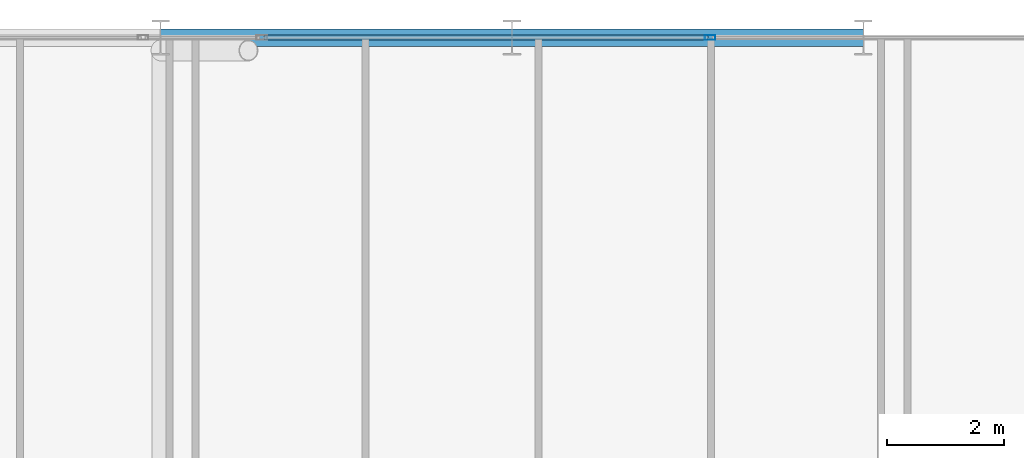
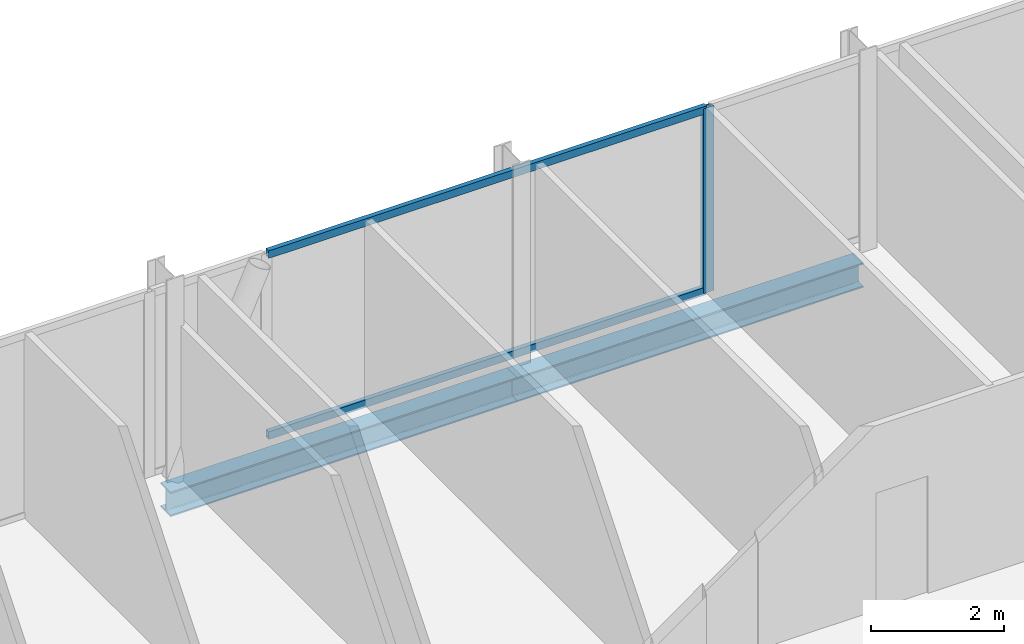
# One storey, part 19 of 30: 3 members, 2 beams, 1 element without a shape of its own.
"""IFC4 building model written with IfcOpenShell, lengths in metres."""

from ifc_helpers import new_model, si_unit, direction, frame, origin, origin_2d, place, context, subcontext, project, spatial, hollow_rectangle, i_section, extrude, material, layer, layer_set, material_profile, profile_set, type_object, element, aggregate, save


model = new_model("IFC4")

# Units and contexts
model_context = context("Model", 3, precision=1e-05, world=origin(), true_north=direction((0.0, 1.0)))
body_context = subcontext(model_context, "Body", "Model", "MODEL_VIEW")
ifc_project = project(units=[si_unit("LENGTHUNIT", "METRE"), si_unit("AREAUNIT", "SQUARE_METRE"), si_unit("VOLUMEUNIT", "CUBIC_METRE"), si_unit("PLANEANGLEUNIT", "RADIAN"), si_unit("MASSUNIT", "GRAM", prefix="KILO")], contexts=[model_context])

# Site, building, storey
site_placement = place(None, origin())
site = spatial("IfcSite", under=ifc_project, at=site_placement, CompositionType="ELEMENT")
building_placement = place(site_placement, origin())
building = spatial("IfcBuilding", under=site, at=building_placement, Name="Keshet Zoharim Tower", CompositionType="ELEMENT")
storey_placement = place(building_placement, frame((0.0, 0.0, 90.89990234375)))
storey = spatial("IfcBuildingStorey", under=building, at=storey_placement, Name="L21", CompositionType="ELEMENT", Elevation=90.89990234375)

# Beams
ifc_material_1 = material(Name="Steel S355", Category="steel")
ifc_material_profile_1 = material_profile(ifc_material_1, i_section(OverallWidth=0.300048828125, OverallDepth=0.449951171875, WebThickness=0.013916015625, FlangeThickness=0.02587890625, FilletRadius=0.027099609375, at=origin_2d()), Name="HEB450")
ifc_profile_set_1 = profile_set([ifc_material_profile_1], Name="Steel S355")
beam_type = type_object("IfcBeamType", Name="BM-WEB-HB450", PredefinedType="BEAM", material=ifc_profile_set_1)
for number, where, z_axis, x_axis, name in (
    (1, (33.0, 53.89990234375, -0.539794921875), (1.0, 0.0, 0.0), (0.0, 1.0, 0.0), "L21 Primary Girder X-021"),
    (2, (39.0, 53.89990234375, -0.539794921875), (1.0, 0.0, 0.0), (0.0, 1.0, 0.0), "L21 Primary Girder X-022"),
):
    element("IfcBeam", number, at=place(storey_placement, frame(where, z_axis=z_axis, x_axis=x_axis)), inside=storey, type_object=beam_type, Name=name, PredefinedType="BEAM", context=body_context, shape_type="SweptSolid", body=[
        extrude(i_section(OverallWidth=0.300048828125, OverallDepth=0.449951171875, WebThickness=0.013916015625, FlangeThickness=0.02587890625, FilletRadius=0.027099609375, at=origin_2d()), origin(), (0.0, 0.0, 1.0), 6.0),
    ])

# Curtain wall, members
ifc_material_2 = material(Name="Aluminium 6063-T6", Category="aluminium")
ifc_layer = layer(ifc_material_2, 0.159912109375)
ifc_layer_set = layer_set([ifc_layer], Name="Aluminium 6063-T6")
curtain_wall_type = type_object("IfcCurtainWallType", Name="CW-SYS-03", PredefinedType="NOTDEFINED", material=ifc_layer_set)
curtain_wall_placement = place(storey_placement, origin())
curtain_wall = element("IfcCurtainWall", 3, at=curtain_wall_placement, inside=storey, type_object=curtain_wall_type, Name="L21 Unitised Curtain Wall 13 Part 5", PredefinedType="NOTDEFINED")
ifc_material_profile_2 = material_profile(ifc_material_2, hollow_rectangle(XDim=0.080078125, YDim=0.179931640625, WallThickness=0.00439453125, at=origin_2d()), Name="MUL-80x180")
ifc_profile_set_2 = profile_set([ifc_material_profile_2], Name="Aluminium 6063-T6")
member_type_1 = type_object("IfcMemberType", Name="CWM-M18", PredefinedType="MULLION", material=ifc_profile_set_2)
member_1_placement = place(storey_placement, frame((42.38134765625, 53.89990234375, 0.0), z_axis=(0.0, 0.0, 1.0), x_axis=(0.0, 1.0, 0.0)))
member_1 = element("IfcMember", 4, at=member_1_placement, type_object=member_type_1, Name="CW-03 mullion 2", PredefinedType="MULLION", context=body_context, shape_type="SweptSolid", body=[
    extrude(hollow_rectangle(XDim=0.080078125, YDim=0.179931640625, WallThickness=0.00439453125, at=origin_2d()), origin(), (0.0, 0.0, 1.0), 3.385009765625),
])
ifc_material_profile_3 = material_profile(ifc_material_2, hollow_rectangle(XDim=0.080078125, YDim=0.139892578125, WallThickness=0.00390625, at=origin_2d()), Name="TRN-80x140")
ifc_profile_set_3 = profile_set([ifc_material_profile_3], Name="Aluminium 6063-T6")
member_type_2 = type_object("IfcMemberType", Name="CWT-T14", PredefinedType="USERDEFINED", material=ifc_profile_set_3)
member_2_placement = place(storey_placement, frame((34.7626953125, 53.89990234375, 0.03515625), z_axis=(1.0, 0.0, 0.0), x_axis=(0.0, 1.0, 0.0)))
member_2 = element("IfcMember", 5, at=member_2_placement, type_object=member_type_2, Name="CW-03 transom 1.1", ObjectType="TRANSOM", PredefinedType="USERDEFINED", context=body_context, shape_type="SweptSolid", body=[
    extrude(hollow_rectangle(XDim=0.080078125, YDim=0.139892578125, WallThickness=0.00390625, at=origin_2d()), origin(), (0.0, 0.0, 1.0), 7.58349609375),
])
member_3_placement = place(storey_placement, frame((34.7626953125, 53.89990234375, 3.35009765625), z_axis=(1.0, 0.0, 0.0), x_axis=(0.0, 1.0, 0.0)))
member_3 = element("IfcMember", 6, at=member_3_placement, type_object=member_type_2, Name="CW-03 transom 1.2", ObjectType="TRANSOM", PredefinedType="USERDEFINED", context=body_context, shape_type="SweptSolid", body=[
    extrude(hollow_rectangle(XDim=0.080078125, YDim=0.139892578125, WallThickness=0.00390625, at=origin_2d()), origin(), (0.0, 0.0, 1.0), 7.58349609375),
])
aggregate(curtain_wall, [member_1, member_2, member_3])

save(model, "model.ifc")
